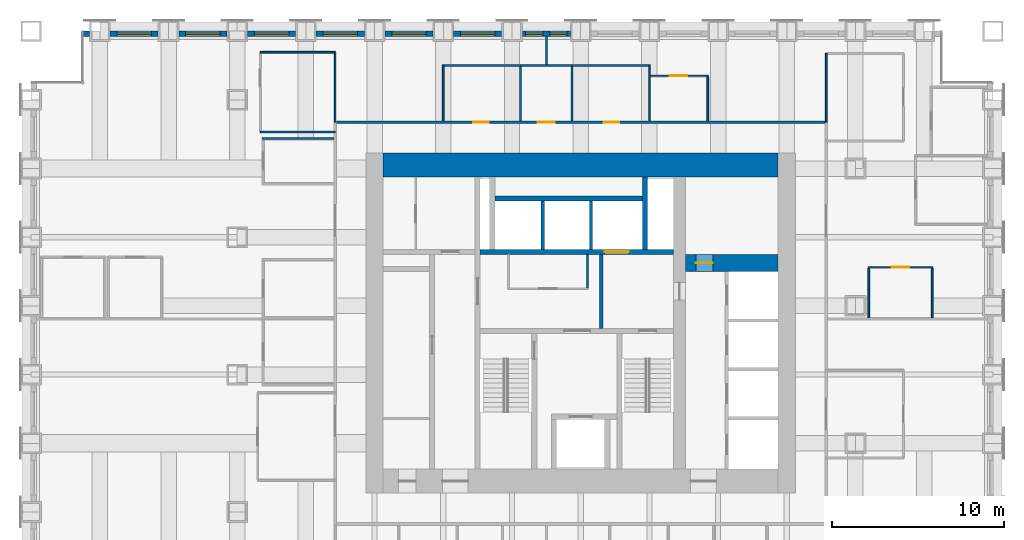
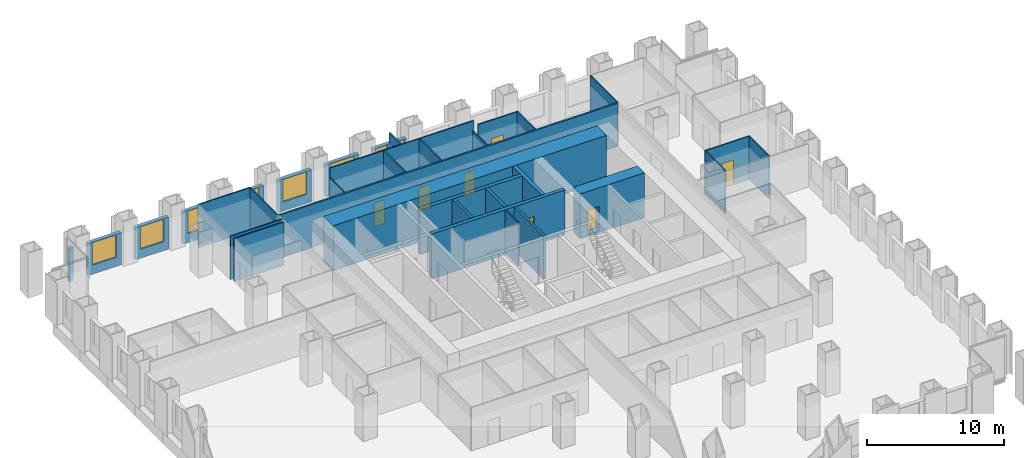
# One storey, part 12 of 15: 34 walls, 8 windows, 7 doors, 15 openings.
"""IFC4 building model written with IfcOpenShell, lengths in metres."""

from ifc_helpers import new_model, si_unit, direction, frame, frame_2d, origin, place, context, subcontext, project, spatial, rectangle, extrude, material, layer, layer_set, type_object, element, fill, save


model = new_model("IFC4")

# Units and contexts
model_context = context("Model", 3, precision=1e-05, world=origin(), true_north=direction((0.0, 1.0)))
body_context = subcontext(model_context, "Body", "Model", "MODEL_VIEW")
ifc_project = project(units=[si_unit("LENGTHUNIT", "METRE"), si_unit("AREAUNIT", "SQUARE_METRE"), si_unit("VOLUMEUNIT", "CUBIC_METRE"), si_unit("PLANEANGLEUNIT", "RADIAN"), si_unit("MASSUNIT", "GRAM", prefix="KILO")], contexts=[model_context])

# Site, building, storey
site_placement = place(None, origin())
site = spatial("IfcSite", under=ifc_project, at=site_placement, CompositionType="ELEMENT")
building_placement = place(site_placement, origin())
building = spatial("IfcBuilding", under=site, at=building_placement, Name="Rimbunsela Tower", CompositionType="ELEMENT")
storey_placement = place(building_placement, frame((0.0, 0.0, 23.0)))
storey = spatial("IfcBuildingStorey", under=building, at=storey_placement, Name="L05", CompositionType="ELEMENT", Elevation=23.0)

# Wall, opening, door
ifc_material_1 = material(Name="Concrete fc' 80 MPa", Category="concrete")
ifc_layer_1 = layer(ifc_material_1, 0.300048828125)
ifc_layer_set_1 = layer_set([ifc_layer_1], Name="Core internal wall 300")
wall_type_1 = type_object("IfcWallType", Name="Core internal wall 300", PredefinedType="SHEAR", material=ifc_layer_set_1)
wall_1_placement = place(storey_placement, frame((24.14990234375, 31.14990234375, -0.14990234375), z_axis=(0.0, 0.0, 1.0), x_axis=(1.0, 0.0, 0.0)))
wall_1 = element("IfcWall", 1, at=wall_1_placement, inside=storey, type_object=wall_type_1, Name="Lift shaft front north", PredefinedType="SHEAR", context=body_context, shape_type="SweptSolid", body=[
    extrude(rectangle(XDim=11.25, YDim=0.300048828125, at=frame_2d((5.625, 0.0))), origin(), (0.0, 0.0, 1.0), 4.0),
])
opening_1_placement = place(wall_1_placement, frame((7.25, 0.0, 0.14990234375)))
opening_1 = element("IfcOpeningElement", 2, at=opening_1_placement, cuts=wall_1, Name="Opening LD3", PredefinedType="OPENING", context=body_context, shape_type="SweptSolid", body=[
    extrude(rectangle(XDim=1.39990234375, YDim=2.39990234375, at=frame_2d((0.699951171875, 1.199951171875))), frame((0.0, 0.159912109375, 0.0), z_axis=(0.0, -1.0, 0.0), x_axis=(1.0, 0.0, 0.0)), (0.0, 0.0, 1.0), 0.320068359375),
])
ifc_material_2 = material(Name="Steel door, fire rated", Category="steel")
door_type_1 = type_object("IfcDoorType", Name="Lift landing door 1400", OperationType="DOUBLE_DOOR_SLIDING", PredefinedType="DOOR", material=ifc_material_2)
door_1_placement = place(opening_1_placement, origin())
door_1 = element("IfcDoor", 3, at=door_1_placement, inside=storey, type_object=door_type_1, Name="Lift landing door FL2", OperationType="DOUBLE_DOOR_SLIDING", OverallHeight=2.39990234375, OverallWidth=1.39990234375, PredefinedType="DOOR", context=body_context, shape_type="SweptSolid", body=[
    extrude(rectangle(XDim=1.39990234375, YDim=2.39990234375, at=frame_2d((0.699951171875, 1.199951171875))), frame((0.0, 0.02490234375, 0.0), z_axis=(0.0, -1.0, 0.0), x_axis=(1.0, 0.0, 0.0)), (0.0, 0.0, 1.0), 0.050048828125),
])
fill(opening_1, door_1)

# Walls
wall_2_placement = place(storey_placement, frame((33.75, 31.300048828125, -0.14990234375), z_axis=(0.0, 0.0, 1.0), x_axis=(0.0, 1.0, 0.0)))
element("IfcWall", 4, at=wall_2_placement, inside=storey, type_object=wall_type_1, Name="Riser wall", PredefinedType="SHEAR", context=body_context, shape_type="SweptSolid", body=[
    extrude(rectangle(XDim=4.199951171875, YDim=0.300048828125, at=frame_2d((2.10009765625, 0.0))), origin(), (0.0, 0.0, 1.0), 4.0),
])
wall_3_placement = place(storey_placement, frame((25.0, 34.25, -0.14990234375), z_axis=(0.0, 0.0, 1.0), x_axis=(1.0, 0.0, 0.0)))
element("IfcWall", 5, at=wall_3_placement, inside=storey, type_object=wall_type_1, Name="Lift shaft rear north", PredefinedType="SHEAR", context=body_context, shape_type="SweptSolid", body=[
    extrude(rectangle(XDim=8.60009765625, YDim=0.300048828125, at=frame_2d((4.300048828125, 0.0))), origin(), (0.0, 0.0, 1.0), 4.0),
])
ifc_material_3 = material(Name="Concrete blockwork", Category="masonry")
ifc_layer_2 = layer(ifc_material_3, 0.10009765625)
ifc_layer_set_2 = layer_set([ifc_layer_2], Name="Core room partition 100")
wall_type_2 = type_object("IfcWallType", Name="Core room partition 100", PredefinedType="PARTITIONING", material=ifc_layer_set_2)
wall_4_placement = place(storey_placement, frame((30.39990234375, 29.050048828125, 0.0), z_axis=(0.0, 0.0, 1.0), x_axis=(0.0, 1.0, 0.0)))
element("IfcWall", 6, at=wall_4_placement, inside=storey, type_object=wall_type_2, Name="Lobby room wall", PredefinedType="PARTITIONING", context=body_context, shape_type="SweptSolid", body=[
    extrude(rectangle(XDim=1.949951171875, YDim=0.10009765625, at=frame_2d((0.97509765625, 0.0))), origin(), (0.0, 0.0, 1.0), 3.85009765625),
])

# Wall, opening, door
ifc_material_4 = material(Name="Concrete fc' 80 MPa", Category="concrete")
ifc_layer_3 = layer(ifc_material_4, 1.0)
ifc_layer_set_3 = layer_set([ifc_layer_3], Name="Core wall 1000")
wall_type_3 = type_object("IfcWallType", Name="Core wall 1000", PredefinedType="SHEAR", material=ifc_layer_set_3)
wall_5_placement = place(storey_placement, frame((36.10009765625, 30.5, -0.14990234375), z_axis=(0.0, 0.0, 1.0), x_axis=(1.0, 0.0, 0.0)))
wall_5 = element("IfcWall", 7, at=wall_5_placement, inside=storey, type_object=wall_type_3, Name="Lift shaft rear east", PredefinedType="SHEAR", context=body_context, shape_type="SweptSolid", body=[
    extrude(rectangle(XDim=5.39990234375, YDim=1.0, at=frame_2d((2.699951171875, 0.0))), origin(), (0.0, 0.0, 1.0), 4.0),
])
opening_2_placement = place(wall_5_placement, frame((0.60009765625, 0.0, 0.14990234375)))
opening_2 = element("IfcOpeningElement", 8, at=opening_2_placement, cuts=wall_5, Name="Opening D19", PredefinedType="OPENING", context=body_context, shape_type="SweptSolid", body=[
    extrude(rectangle(XDim=1.0, YDim=2.199951171875, at=frame_2d((0.5, 1.10009765625))), frame((0.0, 0.510009765625, 0.0), z_axis=(0.0, -1.0, 0.0), x_axis=(1.0, 0.0, 0.0)), (0.0, 0.0, 1.0), 1.02001953125),
])
ifc_material_5 = material(Name="Steel door, fire rated", Category="steel")
door_type_2 = type_object("IfcDoorType", Name="Service door 1000 fire rated", OperationType="SINGLE_SWING_LEFT", PredefinedType="DOOR", material=ifc_material_5)
door_2_placement = place(opening_2_placement, origin())
door_2 = element("IfcDoor", 9, at=door_2_placement, inside=storey, type_object=door_type_2, Name="Communications room door", OperationType="SINGLE_SWING_LEFT", OverallHeight=2.199951171875, OverallWidth=1.0, PredefinedType="DOOR", context=body_context, shape_type="SweptSolid", body=[
    extrude(rectangle(XDim=1.0, YDim=2.199951171875, at=frame_2d((0.5, 1.10009765625))), frame((0.0, 0.02490234375, 0.0), z_axis=(0.0, -1.0, 0.0), x_axis=(1.0, 0.0, 0.0)), (0.0, 0.0, 1.0), 0.050048828125),
])
fill(opening_2, door_2)

# Walls
ifc_material_6 = material(Name="Concrete fc' 80 MPa", Category="concrete")
ifc_layer_4 = layer(ifc_material_6, 1.39990234375)
ifc_layer_set_4 = layer_set([ifc_layer_4], Name="Core wall 1400")
wall_type_4 = type_object("IfcWallType", Name="Core wall 1400", PredefinedType="SHEAR", material=ifc_layer_set_4)
wall_6_placement = place(storey_placement, frame((18.5, 36.199951171875, -0.14990234375), z_axis=(0.0, 0.0, 1.0), x_axis=(1.0, 0.0, 0.0)))
element("IfcWall", 10, at=wall_6_placement, inside=storey, type_object=wall_type_4, Name="Core wall north", PredefinedType="SHEAR", context=body_context, shape_type="SweptSolid", body=[
    extrude(rectangle(XDim=23.0, YDim=1.39990234375, at=frame_2d((11.5, 0.0))), origin(), (0.0, 0.0, 1.0), 4.0),
])
ifc_material_7 = material(Name="Concrete blockwork", Category="masonry")
ifc_layer_5 = layer(ifc_material_7, 0.199951171875)
ifc_layer_set_5 = layer_set([ifc_layer_5], Name="Lift shaft wall 200")
wall_type_5 = type_object("IfcWallType", Name="Lift shaft wall 200", PredefinedType="SOLIDWALL", material=ifc_layer_set_5)
for number, where, z_axis, x_axis, name in (
    (11, (27.800048828125, 31.300048828125, -0.14990234375), (0.0, 0.0, 1.0), (0.0, 1.0, 0.0), "Lift shaft separation"),
    (12, (30.60009765625, 31.300048828125, -0.14990234375), (0.0, 0.0, 1.0), (0.0, 1.0, 0.0), "Lift shaft separation"),
):
    element("IfcWall", number, at=place(storey_placement, frame(where, z_axis=z_axis, x_axis=x_axis)), inside=storey, type_object=wall_type_5, Name=name, PredefinedType="SOLIDWALL", context=body_context, shape_type="SweptSolid", body=[
        extrude(rectangle(XDim=2.800048828125, YDim=0.199951171875, at=frame_2d((1.39990234375, 0.0))), origin(), (0.0, 0.0, 1.0), 4.0),
    ])
wall_7_placement = place(storey_placement, frame((31.199951171875, 26.699951171875, 0.0), z_axis=(0.0, 0.0, 1.0), x_axis=(0.0, 1.0, 0.0)))
element("IfcWall", 13, at=wall_7_placement, inside=storey, type_object=wall_type_5, Name="Firefighting lobby 2 wall", PredefinedType="SOLIDWALL", context=body_context, shape_type="SweptSolid", body=[
    extrude(rectangle(XDim=4.300048828125, YDim=0.199951171875, at=frame_2d((2.14990234375, 0.0))), origin(), (0.0, 0.0, 1.0), 3.85009765625),
])

# Wall, opening, door
ifc_material_8 = material(Name="Gypsum board on steel studs", Category="steel")
ifc_layer_6 = layer(ifc_material_8, 0.10009765625)
ifc_layer_set_6 = layer_set([ifc_layer_6], Name="Office partition 100")
wall_type_6 = type_object("IfcWallType", Name="Office partition 100", PredefinedType="PARTITIONING", material=ifc_layer_set_6)
wall_8_placement = place(storey_placement, frame((46.72509765625, 30.25, 0.0), z_axis=(0.0, 0.0, 1.0), x_axis=(1.0, 0.0, 0.0)))
wall_8 = element("IfcWall", 14, at=wall_8_placement, inside=storey, type_object=wall_type_6, Name="Office partition", PredefinedType="PARTITIONING", context=body_context, shape_type="SweptSolid", body=[
    extrude(rectangle(XDim=3.7998046875, YDim=0.10009765625, at=frame_2d((1.89990234375, 0.0))), origin(), (0.0, 0.0, 1.0), 3.85009765625),
])
opening_3_placement = place(wall_8_placement, frame((1.39990234375, 0.0, 0.0)))
opening_3 = element("IfcOpeningElement", 15, at=opening_3_placement, cuts=wall_8, Name="Opening D17", PredefinedType="OPENING", context=body_context, shape_type="SweptSolid", body=[
    extrude(rectangle(XDim=1.0, YDim=2.199951171875, at=frame_2d((0.5, 1.10009765625))), frame((0.0, 0.06005859375, 0.0), z_axis=(0.0, -1.0, 0.0), x_axis=(1.0, 0.0, 0.0)), (0.0, 0.0, 1.0), 0.1201171875),
])
ifc_material_9 = material(Name="Glazed aluminium door", Category="aluminium")
door_type_3 = type_object("IfcDoorType", Name="Meeting room door 1000 glazed", OperationType="SINGLE_SWING_RIGHT", PredefinedType="DOOR", material=ifc_material_9)
door_3_placement = place(opening_3_placement, origin())
door_3 = element("IfcDoor", 16, at=door_3_placement, inside=storey, type_object=door_type_3, Name="Meeting room door", OperationType="SINGLE_SWING_RIGHT", OverallHeight=2.199951171875, OverallWidth=1.0, PredefinedType="DOOR", context=body_context, shape_type="SweptSolid", body=[
    extrude(rectangle(XDim=1.0, YDim=2.199951171875, at=frame_2d((0.5, 1.10009765625))), frame((0.0, 0.02490234375, 0.0), z_axis=(0.0, -1.0, 0.0), x_axis=(1.0, 0.0, 0.0)), (0.0, 0.0, 1.0), 0.050048828125),
])
fill(opening_3, door_3)

# Wall
wall_9_placement = place(storey_placement, frame((11.449951171875, 37.75, 0.0), z_axis=(0.0, 0.0, 1.0), x_axis=(1.0, 0.0, 0.0)))
element("IfcWall", 17, at=wall_9_placement, inside=storey, type_object=wall_type_6, Name="Office partition", PredefinedType="PARTITIONING", context=body_context, shape_type="SweptSolid", body=[
    extrude(rectangle(XDim=4.175048828125, YDim=0.10009765625, at=frame_2d((2.08740234375, 0.0))), origin(), (0.0, 0.0, 1.0), 3.85009765625),
])

# Wall, opening, door
wall_10_placement = place(storey_placement, frame((34.050048828125, 41.39990234375, 0.0), z_axis=(0.0, 0.0, 1.0), x_axis=(1.0, 0.0, 0.0)))
wall_10 = element("IfcWall", 18, at=wall_10_placement, inside=storey, type_object=wall_type_6, Name="Office partition", PredefinedType="PARTITIONING", context=body_context, shape_type="SweptSolid", body=[
    extrude(rectangle(XDim=3.39990234375, YDim=0.10009765625, at=frame_2d((1.699951171875, 0.0))), origin(), (0.0, 0.0, 1.0), 3.85009765625),
])
opening_4_placement = place(wall_10_placement, frame((1.14990234375, 0.0, 0.0)))
opening_4 = element("IfcOpeningElement", 19, at=opening_4_placement, cuts=wall_10, Name="Opening D16", PredefinedType="OPENING", context=body_context, shape_type="SweptSolid", body=[
    extrude(rectangle(XDim=1.0, YDim=2.199951171875, at=frame_2d((0.5, 1.10009765625))), frame((0.0, 0.06005859375, 0.0), z_axis=(0.0, -1.0, 0.0), x_axis=(1.0, 0.0, 0.0)), (0.0, 0.0, 1.0), 0.1201171875),
])
ifc_material_10 = material(Name="Timber door", Category="wood")
door_type_4 = type_object("IfcDoorType", Name="Office door 1000", OperationType="SINGLE_SWING_LEFT", PredefinedType="DOOR", material=ifc_material_10)
door_4_placement = place(opening_4_placement, origin())
door_4 = element("IfcDoor", 20, at=door_4_placement, inside=storey, type_object=door_type_4, Name="Office door", OperationType="SINGLE_SWING_LEFT", OverallHeight=2.199951171875, OverallWidth=1.0, PredefinedType="DOOR", context=body_context, shape_type="SweptSolid", body=[
    extrude(rectangle(XDim=1.0, YDim=2.199951171875, at=frame_2d((0.5, 1.10009765625))), frame((0.0, 0.02490234375, 0.0), z_axis=(0.0, -1.0, 0.0), x_axis=(1.0, 0.0, 0.0)), (0.0, 0.0, 1.0), 0.050048828125),
])
fill(opening_4, door_4)

# Walls
wall_11_placement = place(storey_placement, frame((37.39990234375, 38.77490234375, 0.0), z_axis=(0.0, 0.0, 1.0), x_axis=(0.0, 1.0, 0.0)))
element("IfcWall", 21, at=wall_11_placement, inside=storey, type_object=wall_type_6, Name="Office partition", PredefinedType="PARTITIONING", context=body_context, shape_type="SweptSolid", body=[
    extrude(rectangle(XDim=2.5751953125, YDim=0.10009765625, at=frame_2d((1.28759765625, 0.0))), origin(), (0.0, 0.0, 1.0), 3.85009765625),
])
for number, where, z_axis, x_axis, name in (
    (22, (46.77490234375, 27.31005859375, 0.0), (0.0, 0.0, 1.0), (0.0, 1.0, 0.0), "Office partition"),
    (23, (50.47509765625, 27.31005859375, 0.0), (0.0, 0.0, 1.0), (0.0, 1.0, 0.0), "Office partition"),
):
    element("IfcWall", number, at=place(storey_placement, frame(where, z_axis=z_axis, x_axis=x_axis)), inside=storey, type_object=wall_type_6, Name=name, PredefinedType="PARTITIONING", context=body_context, shape_type="SweptSolid", body=[
        extrude(rectangle(XDim=2.889892578125, YDim=0.10009765625, at=frame_2d((1.44482421875, 0.0))), origin(), (0.0, 0.0, 1.0), 3.85009765625),
    ])
wall_12_placement = place(storey_placement, frame((15.699951171875, 38.699951171875, 0.0), z_axis=(0.0, 0.0, 1.0), x_axis=(0.0, 1.0, 0.0)))
element("IfcWall", 24, at=wall_12_placement, inside=storey, type_object=wall_type_6, Name="Office partition", PredefinedType="PARTITIONING", context=body_context, shape_type="SweptSolid", body=[
    extrude(rectangle(XDim=4.074951171875, YDim=0.10009765625, at=frame_2d((2.03759765625, 0.0))), origin(), (0.0, 0.0, 1.0), 3.85009765625),
])
for number, where, z_axis, x_axis, name in (
    (25, (15.699951171875, 42.77490234375, 0.0), (0.0, 0.0, 1.0), (-1.0, 0.0, 0.0), "Office partition"),
    (26, (11.35009765625, 38.125, 0.0), (0.0, 0.0, 1.0), (1.0, 0.0, 0.0), "Office partition"),
):
    element("IfcWall", number, at=place(storey_placement, frame(where, z_axis=z_axis, x_axis=x_axis)), inside=storey, type_object=wall_type_6, Name=name, PredefinedType="PARTITIONING", context=body_context, shape_type="SweptSolid", body=[
        extrude(rectangle(XDim=4.349853515625, YDim=0.10009765625, at=frame_2d((2.1748046875, 0.0))), origin(), (0.0, 0.0, 1.0), 3.85009765625),
    ])
wall_13_placement = place(storey_placement, frame((44.300048828125, 42.699951171875, 0.0), z_axis=(0.0, 0.0, 1.0), x_axis=(0.0, -1.0, 0.0)))
element("IfcWall", 27, at=wall_13_placement, inside=storey, type_object=wall_type_6, Name="Office partition", PredefinedType="PARTITIONING", context=body_context, shape_type="SweptSolid", body=[
    extrude(rectangle(XDim=4.0, YDim=0.10009765625, at=frame_2d((2.0, 0.0))), origin(), (0.0, 0.0, 1.0), 3.85009765625),
])
ifc_material_11 = material(Name="Precast concrete fc' 35 MPa", Category="concrete")
ifc_layer_7 = layer(ifc_material_11, 0.300048828125)
ifc_layer_set_7 = layer_set([ifc_layer_7], Name="Precast concrete fc' 35 MPa")
wall_type_7 = type_object("IfcWallType", Name="Precast facade panel 300", PredefinedType="ELEMENTEDWALL", material=ifc_layer_set_7)
wall_14_placement = place(storey_placement, frame((1.39990234375, 43.85009765625, 0.0), z_axis=(0.0, 0.0, 1.0), x_axis=(-1.0, 0.0, 0.0)))
element("IfcWall", 28, at=wall_14_placement, inside=storey, type_object=wall_type_7, Name="Facade panel N L05", PredefinedType="ELEMENTEDWALL", context=body_context, shape_type="SweptSolid", body=[
    extrude(rectangle(XDim=0.369873046875, YDim=0.300048828125, at=frame_2d((0.18505859375, 0.0))), origin(), (0.0, 0.0, 1.0), 2.949951171875),
])

# Wall, opening, window
wall_15_placement = place(storey_placement, frame((5.39990234375, 43.85009765625, 0.0), z_axis=(0.0, 0.0, 1.0), x_axis=(-1.0, 0.0, 0.0)))
wall_15 = element("IfcWall", 29, at=wall_15_placement, inside=storey, type_object=wall_type_7, Name="Facade panel N L05", PredefinedType="ELEMENTEDWALL", context=body_context, shape_type="SweptSolid", body=[
    extrude(rectangle(XDim=2.7998046875, YDim=0.300048828125, at=frame_2d((1.39990234375, 0.0))), origin(), (0.0, 0.0, 1.0), 2.85009765625),
])
opening_5_placement = place(wall_15_placement, frame((0.39990234375, 0.0, 0.800048828125)))
opening_5 = element("IfcOpeningElement", 30, at=opening_5_placement, cuts=wall_15, Name="Opening W1", PredefinedType="OPENING", context=body_context, shape_type="SweptSolid", body=[
    extrude(rectangle(XDim=2.0, YDim=2.0, at=frame_2d((1.0, 1.0))), frame((0.0, 0.159912109375, 0.0), z_axis=(0.0, -1.0, 0.0), x_axis=(1.0, 0.0, 0.0)), (0.0, 0.0, 1.0), 0.320068359375),
])
ifc_material_12 = material(Name="Clear glass in aluminium frame", Category="aluminium")
window_type_1 = type_object("IfcWindowType", Name="Window W1 2000x2000", PartitioningType="DOUBLE_PANEL_VERTICAL", PredefinedType="WINDOW", material=ifc_material_12)
window_1_placement = place(opening_5_placement, origin())
window_1 = element("IfcWindow", 31, at=window_1_placement, inside=storey, type_object=window_type_1, Name="Window L05", OverallHeight=2.0, OverallWidth=2.0, PartitioningType="SINGLE_PANEL", PredefinedType="WINDOW", context=body_context, shape_type="SweptSolid", body=[
    extrude(rectangle(XDim=2.0, YDim=2.0, at=frame_2d((1.0, 1.0))), frame((0.0, 0.030029296875, 0.0), z_axis=(0.0, -1.0, 0.0), x_axis=(1.0, 0.0, 0.0)), (0.0, 0.0, 1.0), 0.06005859375),
])
fill(opening_5, window_1)

wall_16_placement = place(storey_placement, frame((9.39990234375, 43.85009765625, 0.0), z_axis=(0.0, 0.0, 1.0), x_axis=(-1.0, 0.0, 0.0)))
wall_16 = element("IfcWall", 32, at=wall_16_placement, inside=storey, type_object=wall_type_7, Name="Facade panel N L05", PredefinedType="ELEMENTEDWALL", context=body_context, shape_type="SweptSolid", body=[
    extrude(rectangle(XDim=2.7998046875, YDim=0.300048828125, at=frame_2d((1.39990234375, 0.0))), origin(), (0.0, 0.0, 1.0), 2.85009765625),
])
opening_6_placement = place(wall_16_placement, frame((0.39990234375, 0.0, 0.800048828125)))
opening_6 = element("IfcOpeningElement", 33, at=opening_6_placement, cuts=wall_16, Name="Opening W1", PredefinedType="OPENING", context=body_context, shape_type="SweptSolid", body=[
    extrude(rectangle(XDim=2.0, YDim=2.0, at=frame_2d((1.0, 1.0))), frame((0.0, 0.159912109375, 0.0), z_axis=(0.0, -1.0, 0.0), x_axis=(1.0, 0.0, 0.0)), (0.0, 0.0, 1.0), 0.320068359375),
])
window_2_placement = place(opening_6_placement, origin())
window_2 = element("IfcWindow", 34, at=window_2_placement, inside=storey, type_object=window_type_1, Name="Window L05", OverallHeight=2.0, OverallWidth=2.0, PartitioningType="SINGLE_PANEL", PredefinedType="WINDOW", context=body_context, shape_type="SweptSolid", body=[
    extrude(rectangle(XDim=2.0, YDim=2.0, at=frame_2d((1.0, 1.0))), frame((0.0, 0.030029296875, 0.0), z_axis=(0.0, -1.0, 0.0), x_axis=(1.0, 0.0, 0.0)), (0.0, 0.0, 1.0), 0.06005859375),
])
fill(opening_6, window_2)

wall_17_placement = place(storey_placement, frame((13.39990234375, 43.85009765625, 0.0), z_axis=(0.0, 0.0, 1.0), x_axis=(-1.0, 0.0, 0.0)))
wall_17 = element("IfcWall", 35, at=wall_17_placement, inside=storey, type_object=wall_type_7, Name="Facade panel N L05", PredefinedType="ELEMENTEDWALL", context=body_context, shape_type="SweptSolid", body=[
    extrude(rectangle(XDim=2.7998046875, YDim=0.300048828125, at=frame_2d((1.39990234375, 0.0))), origin(), (0.0, 0.0, 1.0), 2.85009765625),
])
opening_7_placement = place(wall_17_placement, frame((0.39990234375, 0.0, 0.800048828125)))
opening_7 = element("IfcOpeningElement", 36, at=opening_7_placement, cuts=wall_17, Name="Opening W1", PredefinedType="OPENING", context=body_context, shape_type="SweptSolid", body=[
    extrude(rectangle(XDim=2.0, YDim=2.0, at=frame_2d((1.0, 1.0))), frame((0.0, 0.159912109375, 0.0), z_axis=(0.0, -1.0, 0.0), x_axis=(1.0, 0.0, 0.0)), (0.0, 0.0, 1.0), 0.320068359375),
])
window_3_placement = place(opening_7_placement, origin())
window_3 = element("IfcWindow", 37, at=window_3_placement, inside=storey, type_object=window_type_1, Name="Window L05", OverallHeight=2.0, OverallWidth=2.0, PartitioningType="SINGLE_PANEL", PredefinedType="WINDOW", context=body_context, shape_type="SweptSolid", body=[
    extrude(rectangle(XDim=2.0, YDim=2.0, at=frame_2d((1.0, 1.0))), frame((0.0, 0.030029296875, 0.0), z_axis=(0.0, -1.0, 0.0), x_axis=(1.0, 0.0, 0.0)), (0.0, 0.0, 1.0), 0.06005859375),
])
fill(opening_7, window_3)

wall_18_placement = place(storey_placement, frame((17.39990234375, 43.85009765625, 0.0), z_axis=(0.0, 0.0, 1.0), x_axis=(-1.0, 0.0, 0.0)))
wall_18 = element("IfcWall", 38, at=wall_18_placement, inside=storey, type_object=wall_type_7, Name="Facade panel N L05", PredefinedType="ELEMENTEDWALL", context=body_context, shape_type="SweptSolid", body=[
    extrude(rectangle(XDim=2.7998046875, YDim=0.300048828125, at=frame_2d((1.39990234375, 0.0))), origin(), (0.0, 0.0, 1.0), 2.85009765625),
])
opening_8_placement = place(wall_18_placement, frame((0.39990234375, 0.0, 0.800048828125)))
opening_8 = element("IfcOpeningElement", 39, at=opening_8_placement, cuts=wall_18, Name="Opening W1", PredefinedType="OPENING", context=body_context, shape_type="SweptSolid", body=[
    extrude(rectangle(XDim=2.0, YDim=2.0, at=frame_2d((1.0, 1.0))), frame((0.0, 0.159912109375, 0.0), z_axis=(0.0, -1.0, 0.0), x_axis=(1.0, 0.0, 0.0)), (0.0, 0.0, 1.0), 0.320068359375),
])
window_4_placement = place(opening_8_placement, origin())
window_4 = element("IfcWindow", 40, at=window_4_placement, inside=storey, type_object=window_type_1, Name="Window L05", OverallHeight=2.0, OverallWidth=2.0, PartitioningType="SINGLE_PANEL", PredefinedType="WINDOW", context=body_context, shape_type="SweptSolid", body=[
    extrude(rectangle(XDim=2.0, YDim=2.0, at=frame_2d((1.0, 1.0))), frame((0.0, 0.030029296875, 0.0), z_axis=(0.0, -1.0, 0.0), x_axis=(1.0, 0.0, 0.0)), (0.0, 0.0, 1.0), 0.06005859375),
])
fill(opening_8, window_4)

wall_19_placement = place(storey_placement, frame((21.39990234375, 43.85009765625, 0.0), z_axis=(0.0, 0.0, 1.0), x_axis=(-1.0, 0.0, 0.0)))
wall_19 = element("IfcWall", 41, at=wall_19_placement, inside=storey, type_object=wall_type_7, Name="Facade panel N L05", PredefinedType="ELEMENTEDWALL", context=body_context, shape_type="SweptSolid", body=[
    extrude(rectangle(XDim=2.7998046875, YDim=0.300048828125, at=frame_2d((1.39990234375, 0.0))), origin(), (0.0, 0.0, 1.0), 2.85009765625),
])
opening_9_placement = place(wall_19_placement, frame((0.39990234375, 0.0, 0.800048828125)))
opening_9 = element("IfcOpeningElement", 42, at=opening_9_placement, cuts=wall_19, Name="Opening W1", PredefinedType="OPENING", context=body_context, shape_type="SweptSolid", body=[
    extrude(rectangle(XDim=2.0, YDim=2.0, at=frame_2d((1.0, 1.0))), frame((0.0, 0.159912109375, 0.0), z_axis=(0.0, -1.0, 0.0), x_axis=(1.0, 0.0, 0.0)), (0.0, 0.0, 1.0), 0.320068359375),
])
window_5_placement = place(opening_9_placement, origin())
window_5 = element("IfcWindow", 43, at=window_5_placement, inside=storey, type_object=window_type_1, Name="Window L05", OverallHeight=2.0, OverallWidth=2.0, PartitioningType="SINGLE_PANEL", PredefinedType="WINDOW", context=body_context, shape_type="SweptSolid", body=[
    extrude(rectangle(XDim=2.0, YDim=2.0, at=frame_2d((1.0, 1.0))), frame((0.0, 0.030029296875, 0.0), z_axis=(0.0, -1.0, 0.0), x_axis=(1.0, 0.0, 0.0)), (0.0, 0.0, 1.0), 0.06005859375),
])
fill(opening_9, window_5)

wall_20_placement = place(storey_placement, frame((25.39990234375, 43.85009765625, 0.0), z_axis=(0.0, 0.0, 1.0), x_axis=(-1.0, 0.0, 0.0)))
wall_20 = element("IfcWall", 44, at=wall_20_placement, inside=storey, type_object=wall_type_7, Name="Facade panel N L05", PredefinedType="ELEMENTEDWALL", context=body_context, shape_type="SweptSolid", body=[
    extrude(rectangle(XDim=2.7998046875, YDim=0.300048828125, at=frame_2d((1.39990234375, 0.0))), origin(), (0.0, 0.0, 1.0), 2.85009765625),
])
opening_10_placement = place(wall_20_placement, frame((0.39990234375, 0.0, 0.800048828125)))
opening_10 = element("IfcOpeningElement", 45, at=opening_10_placement, cuts=wall_20, Name="Opening W1", PredefinedType="OPENING", context=body_context, shape_type="SweptSolid", body=[
    extrude(rectangle(XDim=2.0, YDim=2.0, at=frame_2d((1.0, 1.0))), frame((0.0, 0.159912109375, 0.0), z_axis=(0.0, -1.0, 0.0), x_axis=(1.0, 0.0, 0.0)), (0.0, 0.0, 1.0), 0.320068359375),
])
window_6_placement = place(opening_10_placement, origin())
window_6 = element("IfcWindow", 46, at=window_6_placement, inside=storey, type_object=window_type_1, Name="Window L05", OverallHeight=2.0, OverallWidth=2.0, PartitioningType="SINGLE_PANEL", PredefinedType="WINDOW", context=body_context, shape_type="SweptSolid", body=[
    extrude(rectangle(XDim=2.0, YDim=2.0, at=frame_2d((1.0, 1.0))), frame((0.0, 0.030029296875, 0.0), z_axis=(0.0, -1.0, 0.0), x_axis=(1.0, 0.0, 0.0)), (0.0, 0.0, 1.0), 0.06005859375),
])
fill(opening_10, window_6)

# Wall, openings, windows
wall_21_placement = place(storey_placement, frame((29.39990234375, 43.85009765625, 0.0), z_axis=(0.0, 0.0, 1.0), x_axis=(-1.0, 0.0, 0.0)))
wall_21 = element("IfcWall", 47, at=wall_21_placement, inside=storey, type_object=wall_type_7, Name="Facade panel N L05", PredefinedType="ELEMENTEDWALL", context=body_context, shape_type="SweptSolid", body=[
    extrude(rectangle(XDim=2.7998046875, YDim=0.300048828125, at=frame_2d((1.39990234375, 0.0))), origin(), (0.0, 0.0, 1.0), 2.85009765625),
])
opening_11_placement = place(wall_21_placement, frame((1.60009765625, 0.0, 0.800048828125)))
opening_11 = element("IfcOpeningElement", 48, at=opening_11_placement, cuts=wall_21, Name="Opening W5", PredefinedType="OPENING", context=body_context, shape_type="SweptSolid", body=[
    extrude(rectangle(XDim=1.0, YDim=2.0, at=frame_2d((0.5, 1.0))), frame((0.0, 0.159912109375, 0.0), z_axis=(0.0, -1.0, 0.0), x_axis=(1.0, 0.0, 0.0)), (0.0, 0.0, 1.0), 0.320068359375),
])
opening_12_placement = place(wall_21_placement, frame((0.199951171875, 0.0, 0.800048828125)))
opening_12 = element("IfcOpeningElement", 49, at=opening_12_placement, cuts=wall_21, Name="Opening W5", PredefinedType="OPENING", context=body_context, shape_type="SweptSolid", body=[
    extrude(rectangle(XDim=1.0, YDim=2.0, at=frame_2d((0.5, 1.0))), frame((0.0, 0.159912109375, 0.0), z_axis=(0.0, -1.0, 0.0), x_axis=(1.0, 0.0, 0.0)), (0.0, 0.0, 1.0), 0.320068359375),
])
ifc_material_13 = material(Name="Clear glass in aluminium frame", Category="aluminium")
window_type_2 = type_object("IfcWindowType", Name="Window W5 1000x2000", PartitioningType="SINGLE_PANEL", PredefinedType="WINDOW", material=ifc_material_13)
window_7_placement = place(opening_11_placement, origin())
window_7 = element("IfcWindow", 50, at=window_7_placement, inside=storey, type_object=window_type_2, Name="Window L05", OverallHeight=2.0, OverallWidth=1.0, PartitioningType="SINGLE_PANEL", PredefinedType="WINDOW", context=body_context, shape_type="SweptSolid", body=[
    extrude(rectangle(XDim=1.0, YDim=2.0, at=frame_2d((0.5, 1.0))), frame((0.0, 0.030029296875, 0.0), z_axis=(0.0, -1.0, 0.0), x_axis=(1.0, 0.0, 0.0)), (0.0, 0.0, 1.0), 0.06005859375),
])
fill(opening_11, window_7)
window_8_placement = place(opening_12_placement, origin())
window_8 = element("IfcWindow", 51, at=window_8_placement, inside=storey, type_object=window_type_2, Name="Window L05", OverallHeight=2.0, OverallWidth=1.0, PartitioningType="SINGLE_PANEL", PredefinedType="WINDOW", context=body_context, shape_type="SweptSolid", body=[
    extrude(rectangle(XDim=1.0, YDim=2.0, at=frame_2d((0.5, 1.0))), frame((0.0, 0.030029296875, 0.0), z_axis=(0.0, -1.0, 0.0), x_axis=(1.0, 0.0, 0.0)), (0.0, 0.0, 1.0), 0.06005859375),
])
fill(opening_12, window_8)

# Wall, openings, doors
ifc_material_14 = material(Name="Fire-rated gypsum board on steel studs, EI 60", Category="steel")
ifc_layer_8 = layer(ifc_material_14, 0.14990234375)
ifc_layer_set_8 = layer_set([ifc_layer_8], Name="Rated corridor wall 150")
wall_type_8 = type_object("IfcWallType", Name="Rated corridor wall 150", PredefinedType="PARTITIONING", material=ifc_layer_set_8)
wall_22_placement = place(storey_placement, frame((15.77490234375, 38.699951171875, 0.0), z_axis=(0.0, 0.0, 1.0), x_axis=(1.0, 0.0, 0.0)))
wall_22 = element("IfcWall", 52, at=wall_22_placement, inside=storey, type_object=wall_type_8, Name="Corridor wall north", PredefinedType="PARTITIONING", context=body_context, shape_type="SweptSolid", body=[
    extrude(rectangle(XDim=28.4501953125, YDim=0.14990234375, at=frame_2d((14.22509765625, 0.0))), origin(), (0.0, 0.0, 1.0), 3.85009765625),
])
opening_13_placement = place(wall_22_placement, frame((7.97509765625, 0.0, 0.0)))
opening_13 = element("IfcOpeningElement", 53, at=opening_13_placement, cuts=wall_22, Name="Opening D04", PredefinedType="OPENING", context=body_context, shape_type="SweptSolid", body=[
    extrude(rectangle(XDim=0.89990234375, YDim=2.10009765625, at=frame_2d((0.449951171875, 1.050048828125))), frame((0.0, 0.0849609375, 0.0), z_axis=(0.0, -1.0, 0.0), x_axis=(1.0, 0.0, 0.0)), (0.0, 0.0, 1.0), 0.169921875),
])
opening_14_placement = place(wall_22_placement, frame((11.72509765625, 0.0, 0.0)))
opening_14 = element("IfcOpeningElement", 54, at=opening_14_placement, cuts=wall_22, Name="Opening D05", PredefinedType="OPENING", context=body_context, shape_type="SweptSolid", body=[
    extrude(rectangle(XDim=1.0, YDim=2.10009765625, at=frame_2d((0.5, 1.050048828125))), frame((0.0, 0.0849609375, 0.0), z_axis=(0.0, -1.0, 0.0), x_axis=(1.0, 0.0, 0.0)), (0.0, 0.0, 1.0), 0.169921875),
])
opening_15_placement = place(wall_22_placement, frame((15.574951171875, 0.0, 0.0)))
opening_15 = element("IfcOpeningElement", 55, at=opening_15_placement, cuts=wall_22, Name="Opening D04", PredefinedType="OPENING", context=body_context, shape_type="SweptSolid", body=[
    extrude(rectangle(XDim=0.89990234375, YDim=2.10009765625, at=frame_2d((0.449951171875, 1.050048828125))), frame((0.0, 0.0849609375, 0.0), z_axis=(0.0, -1.0, 0.0), x_axis=(1.0, 0.0, 0.0)), (0.0, 0.0, 1.0), 0.169921875),
])
ifc_material_15 = material(Name="Timber door", Category="wood")
door_type_5 = type_object("IfcDoorType", Name="Accessible WC door 1000", OperationType="SLIDING_TO_LEFT", PredefinedType="DOOR", material=ifc_material_15)
door_5_placement = place(opening_14_placement, origin())
door_5 = element("IfcDoor", 56, at=door_5_placement, inside=storey, type_object=door_type_5, Name="Accessible WC door", OperationType="SLIDING_TO_LEFT", OverallHeight=2.10009765625, OverallWidth=1.0, PredefinedType="DOOR", context=body_context, shape_type="SweptSolid", body=[
    extrude(rectangle(XDim=1.0, YDim=2.10009765625, at=frame_2d((0.5, 1.050048828125))), frame((0.0, 0.02490234375, 0.0), z_axis=(0.0, -1.0, 0.0), x_axis=(1.0, 0.0, 0.0)), (0.0, 0.0, 1.0), 0.050048828125),
])
fill(opening_14, door_5)
ifc_material_16 = material(Name="Timber door", Category="wood")
door_type_6 = type_object("IfcDoorType", Name="Toilet door 900", OperationType="SINGLE_SWING_LEFT", PredefinedType="DOOR", material=ifc_material_16)
door_6_placement = place(opening_13_placement, origin())
door_6 = element("IfcDoor", 57, at=door_6_placement, inside=storey, type_object=door_type_6, Name="Female WC door", OperationType="SINGLE_SWING_LEFT", OverallHeight=2.10009765625, OverallWidth=0.89990234375, PredefinedType="DOOR", context=body_context, shape_type="SweptSolid", body=[
    extrude(rectangle(XDim=0.89990234375, YDim=2.10009765625, at=frame_2d((0.449951171875, 1.050048828125))), frame((0.0, 0.02490234375, 0.0), z_axis=(0.0, -1.0, 0.0), x_axis=(1.0, 0.0, 0.0)), (0.0, 0.0, 1.0), 0.050048828125),
])
fill(opening_13, door_6)
door_7_placement = place(opening_15_placement, origin())
door_7 = element("IfcDoor", 58, at=door_7_placement, inside=storey, type_object=door_type_6, Name="Male WC door", OperationType="SINGLE_SWING_LEFT", OverallHeight=2.10009765625, OverallWidth=0.89990234375, PredefinedType="DOOR", context=body_context, shape_type="SweptSolid", body=[
    extrude(rectangle(XDim=0.89990234375, YDim=2.10009765625, at=frame_2d((0.449951171875, 1.050048828125))), frame((0.0, 0.02490234375, 0.0), z_axis=(0.0, -1.0, 0.0), x_axis=(1.0, 0.0, 0.0)), (0.0, 0.0, 1.0), 0.050048828125),
])
fill(opening_15, door_7)

# Walls
ifc_material_17 = material(Name="Gypsum board on steel studs", Category="steel")
ifc_layer_9 = layer(ifc_material_17, 0.1201171875)
ifc_layer_set_9 = layer_set([ifc_layer_9], Name="Tenancy partition 120")
wall_type_9 = type_object("IfcWallType", Name="Tenancy partition 120", PredefinedType="PARTITIONING", material=ifc_layer_set_9)
wall_23_placement = place(storey_placement, frame((28.0, 42.050048828125, 0.0), z_axis=(0.0, 0.0, 1.0), x_axis=(0.0, 1.0, 0.0)))
element("IfcWall", 59, at=wall_23_placement, inside=storey, type_object=wall_type_9, Name="Tenancy partition north", PredefinedType="PARTITIONING", context=body_context, shape_type="SweptSolid", body=[
    extrude(rectangle(XDim=1.64990234375, YDim=0.1201171875, at=frame_2d((0.824951171875, 0.0))), origin(), (0.0, 0.0, 1.0), 3.85009765625),
])
ifc_material_18 = material(Name="Concrete blockwork", Category="masonry")
ifc_layer_10 = layer(ifc_material_18, 0.10009765625)
ifc_layer_set_10 = layer_set([ifc_layer_10], Name="Toilet partition 100")
wall_type_10 = type_object("IfcWallType", Name="Toilet partition 100", PredefinedType="PARTITIONING", material=ifc_layer_set_10)
for number, where, z_axis, x_axis, name in (
    (60, (22.0, 38.77490234375, 0.0), (0.0, 0.0, 1.0), (0.0, 1.0, 0.0), "Toilet block wall west"),
    (61, (34.0, 38.77490234375, 0.0), (0.0, 0.0, 1.0), (0.0, 1.0, 0.0), "Toilet block wall east"),
):
    element("IfcWall", number, at=place(storey_placement, frame(where, z_axis=z_axis, x_axis=x_axis)), inside=storey, type_object=wall_type_10, Name=name, PredefinedType="PARTITIONING", context=body_context, shape_type="SweptSolid", body=[
        extrude(rectangle(XDim=3.275146484375, YDim=0.10009765625, at=frame_2d((1.6376953125, 0.0))), origin(), (0.0, 0.0, 1.0), 2.949951171875),
    ])
wall_24_placement = place(storey_placement, frame((21.949951171875, 42.0, 0.0), z_axis=(0.0, 0.0, 1.0), x_axis=(1.0, 0.0, 0.0)))
element("IfcWall", 62, at=wall_24_placement, inside=storey, type_object=wall_type_10, Name="Toilet block wall north", PredefinedType="PARTITIONING", context=body_context, shape_type="SweptSolid", body=[
    extrude(rectangle(XDim=12.10009765625, YDim=0.10009765625, at=frame_2d((6.050048828125, 0.0))), origin(), (0.0, 0.0, 1.0), 3.85009765625),
])
for number, where, z_axis, x_axis, name in (
    (63, (26.5, 38.77490234375, 0.0), (0.0, 0.0, 1.0), (0.0, 1.0, 0.0), "Toilet partition"),
    (64, (29.5, 38.77490234375, 0.0), (0.0, 0.0, 1.0), (0.0, 1.0, 0.0), "Toilet partition"),
):
    element("IfcWall", number, at=place(storey_placement, frame(where, z_axis=z_axis, x_axis=x_axis)), inside=storey, type_object=wall_type_10, Name=name, PredefinedType="PARTITIONING", context=body_context, shape_type="SweptSolid", body=[
        extrude(rectangle(XDim=3.175048828125, YDim=0.10009765625, at=frame_2d((1.58740234375, 0.0))), origin(), (0.0, 0.0, 1.0), 3.85009765625),
    ])

save(model, "model.ifc")
